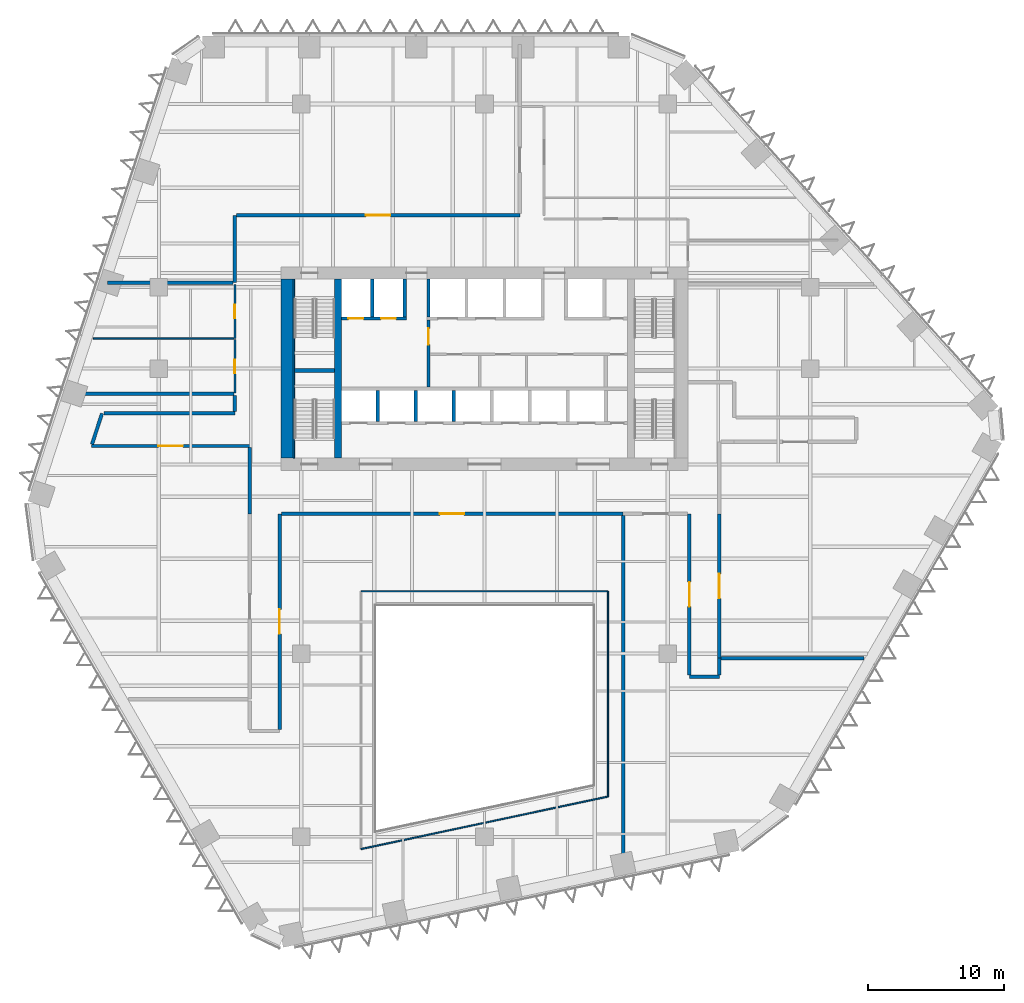
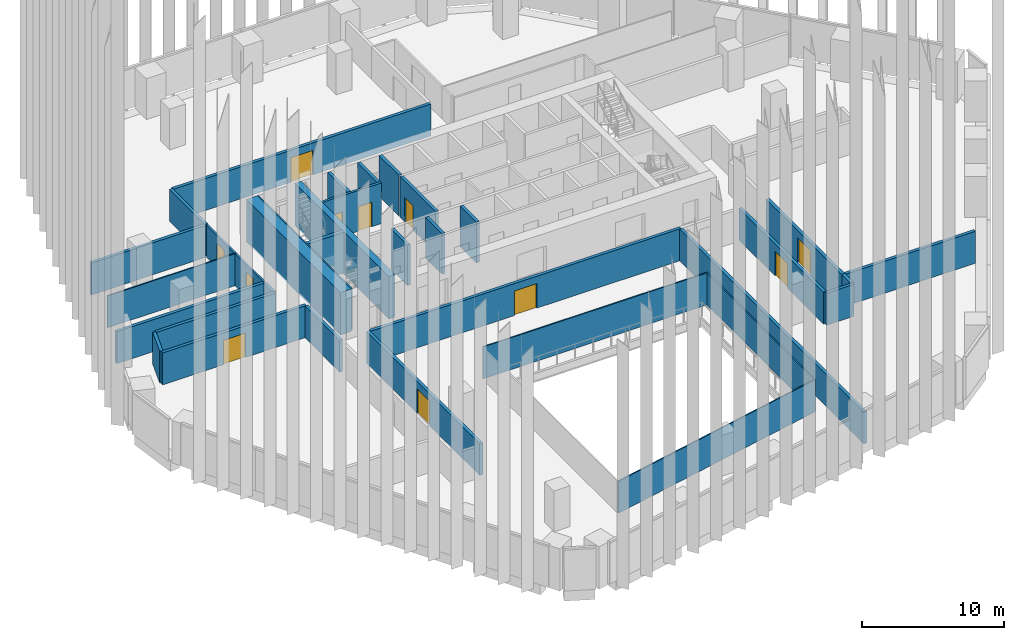
# One storey, part 14 of 24: 35 walls, 11 doors, 11 openings.
"""IFC4 building model written with IfcOpenShell, lengths in metres."""

from ifc_helpers import new_model, si_unit, direction, frame, frame_2d, origin, place, context, subcontext, project, spatial, rectangle, extrude, material, layer, layer_set, type_object, element, fill, save


model = new_model("IFC4")

# Units and contexts
model_context = context("Model", 3, precision=1e-05, world=origin(), true_north=direction((0.0, 1.0)))
body_context = subcontext(model_context, "Body", "Model", "MODEL_VIEW")
ifc_project = project(units=[si_unit("LENGTHUNIT", "METRE"), si_unit("AREAUNIT", "SQUARE_METRE"), si_unit("VOLUMEUNIT", "CUBIC_METRE"), si_unit("PLANEANGLEUNIT", "RADIAN"), si_unit("MASSUNIT", "GRAM", prefix="KILO")], contexts=[model_context])

# Site, building, storey
site_placement = place(None, origin())
site = spatial("IfcSite", under=ifc_project, at=site_placement, CompositionType="ELEMENT")
building_placement = place(site_placement, origin())
building = spatial("IfcBuilding", under=site, at=building_placement, Name="Isthmus Gate Tower", CompositionType="ELEMENT")
storey_placement = place(building_placement, frame((0.0, 0.0, 80.64990234375)))
storey = spatial("IfcBuildingStorey", under=building, at=storey_placement, Name="L18", CompositionType="ELEMENT", Elevation=80.64990234375)

# Wall, opening, door
ifc_material_1 = material(Name="Double-leaf acoustic stud wall, fire-rated", Category="gypsum")
ifc_layer_1 = layer(ifc_material_1, 0.25)
ifc_layer_set_1 = layer_set([ifc_layer_1], Name="ACOUSTIC WALL 250 60 MIN")
wall_type_1 = type_object("IfcWallType", Name="ACOUSTIC WALL 250 60 MIN", PredefinedType="PARTITIONING", material=ifc_layer_set_1)
wall_1_placement = place(storey_placement, frame((10.212890625, -3.199951171875, 0.0), z_axis=(0.0, 0.0, 1.0), x_axis=(-1.0, 0.0, 0.0)))
wall_1 = element("IfcWall", 1, at=wall_1_placement, inside=storey, type_object=wall_type_1, Name="L18 Acoustic Wall 250 60 Min", PredefinedType="PARTITIONING", context=body_context, shape_type="SweptSolid", body=[
    extrude(rectangle(XDim=25.18798828125, YDim=0.25, at=frame_2d((12.593994140625, 0.0))), origin(), (0.0, 0.0, 1.0), 2.7412109375),
])
opening_1_placement = place(wall_1_placement, frame((11.70654296875, 0.0, 0.0)))
opening_1 = element("IfcOpeningElement", 2, at=opening_1_placement, cuts=wall_1, Name="Opening DT-T2A-12", PredefinedType="OPENING", context=body_context, shape_type="SweptSolid", body=[
    extrude(rectangle(XDim=1.800048828125, YDim=2.10009765625, at=frame_2d((0.89990234375, 1.050048828125))), frame((0.0, 0.135009765625, 0.0), z_axis=(0.0, -1.0, 0.0), x_axis=(1.0, 0.0, 0.0)), (0.0, 0.0, 1.0), 0.27001953125),
])
ifc_material_2 = material(Name="Solid core timber door leaf, fire-rated", Category="wood")
door_type_1 = type_object("IfcDoorType", Name="FIRE DOOR ACOUSTIC ROOM 1800 X 2100 60 MIN", OperationType="DOUBLE_DOOR_DOUBLE_SWING", PredefinedType="DOOR", material=ifc_material_2)
door_1_placement = place(opening_1_placement, origin())
door_1 = element("IfcDoor", 3, at=door_1_placement, inside=storey, type_object=door_type_1, Name="L18 room door", OperationType="DOUBLE_DOOR_DOUBLE_SWING", OverallHeight=2.10009765625, OverallWidth=1.800048828125, PredefinedType="DOOR", context=body_context, shape_type="SweptSolid", body=[
    extrude(rectangle(XDim=1.800048828125, YDim=2.10009765625, at=frame_2d((0.89990234375, 1.050048828125))), frame((0.0, 0.02490234375, 0.0), z_axis=(0.0, -1.0, 0.0), x_axis=(1.0, 0.0, 0.0)), (0.0, 0.0, 1.0), 0.050048828125),
])
fill(opening_1, door_1)

wall_2_placement = place(storey_placement, frame((-17.298095703125, 1.802001953125, 0.0), z_axis=(0.0, 0.0, 1.0), x_axis=(-0.99999998598, -0.000167451594, 0.0)))
wall_2 = element("IfcWall", 4, at=wall_2_placement, inside=storey, type_object=wall_type_1, Name="L18 Acoustic Wall 250 60 Min", PredefinedType="PARTITIONING", context=body_context, shape_type="SweptSolid", body=[
    extrude(rectangle(XDim=11.663818359375, YDim=0.25, at=frame_2d((5.83203125, 0.0))), origin(), (0.0, 0.0, 1.0), 2.7412109375),
])
opening_2_placement = place(wall_2_placement, frame((4.931884765625, 0.0, 0.0)))
opening_2 = element("IfcOpeningElement", 5, at=opening_2_placement, cuts=wall_2, Name="Opening DT-T2A-11", PredefinedType="OPENING", context=body_context, shape_type="SweptSolid", body=[
    extrude(rectangle(XDim=1.800048828125, YDim=2.10009765625, at=frame_2d((0.89990234375, 1.050048828125))), frame((0.0, 0.135009765625, 0.0), z_axis=(0.0, -1.0, 0.0), x_axis=(1.0, 0.0, 0.0)), (0.0, 0.0, 1.0), 0.27001953125),
])
door_2_placement = place(opening_2_placement, origin())
door_2 = element("IfcDoor", 6, at=door_2_placement, inside=storey, type_object=door_type_1, Name="L18 room door", OperationType="DOUBLE_DOOR_DOUBLE_SWING", OverallHeight=2.10009765625, OverallWidth=1.800048828125, PredefinedType="DOOR", context=body_context, shape_type="SweptSolid", body=[
    extrude(rectangle(XDim=1.800048828125, YDim=2.10009765625, at=frame_2d((0.89990234375, 1.050048828125))), frame((0.0, 0.02490234375, 0.0), z_axis=(0.0, -1.0, 0.0), x_axis=(1.0, 0.0, 0.0)), (0.0, 0.0, 1.0), 0.050048828125),
])
fill(opening_2, door_2)

wall_3_placement = place(storey_placement, frame((-15.10009765625, -3.199951171875, 0.0), z_axis=(0.0, 0.0, 1.0), x_axis=(0.0, -1.0, 0.0)))
wall_3 = element("IfcWall", 7, at=wall_3_placement, inside=storey, type_object=wall_type_1, Name="L18 Acoustic Wall 250 60 Min", PredefinedType="PARTITIONING", context=body_context, shape_type="SweptSolid", body=[
    extrude(rectangle(XDim=15.875, YDim=0.25, at=frame_2d((7.9375, 0.0))), origin(), (0.0, 0.0, 1.0), 2.7412109375),
])
opening_3_placement = place(wall_3_placement, frame((7.03759765625, 0.0, 0.0)))
opening_3 = element("IfcOpeningElement", 8, at=opening_3_placement, cuts=wall_3, Name="Opening DT-T2A-13", PredefinedType="OPENING", context=body_context, shape_type="SweptSolid", body=[
    extrude(rectangle(XDim=1.800048828125, YDim=2.10009765625, at=frame_2d((0.89990234375, 1.050048828125))), frame((0.0, 0.135009765625, 0.0), z_axis=(0.0, -1.0, 0.0), x_axis=(1.0, 0.0, 0.0)), (0.0, 0.0, 1.0), 0.27001953125),
])
door_3_placement = place(opening_3_placement, origin())
door_3 = element("IfcDoor", 9, at=door_3_placement, inside=storey, type_object=door_type_1, Name="L18 room door", OperationType="DOUBLE_DOOR_DOUBLE_SWING", OverallHeight=2.10009765625, OverallWidth=1.800048828125, PredefinedType="DOOR", context=body_context, shape_type="SweptSolid", body=[
    extrude(rectangle(XDim=1.800048828125, YDim=2.10009765625, at=frame_2d((0.89990234375, 1.050048828125))), frame((0.0, 0.02490234375, 0.0), z_axis=(0.0, -1.0, 0.0), x_axis=(1.0, 0.0, 0.0)), (0.0, 0.0, 1.0), 0.050048828125),
])
fill(opening_3, door_3)

wall_4_placement = place(storey_placement, frame((17.300048828125, -3.201904296875, 0.0), z_axis=(0.0, 0.0, 1.0), x_axis=(0.0, -1.0, 0.0)))
wall_4 = element("IfcWall", 10, at=wall_4_placement, inside=storey, type_object=wall_type_1, Name="L18 Acoustic Wall 250 60 Min", PredefinedType="PARTITIONING", context=body_context, shape_type="SweptSolid", body=[
    extrude(rectangle(XDim=10.63720703125, YDim=0.25, at=frame_2d((5.318603515625, 0.0))), origin(), (0.0, 0.0, 1.0), 2.7412109375),
])
opening_4_placement = place(wall_4_placement, frame((4.41845703125, 0.0, 0.0)))
opening_4 = element("IfcOpeningElement", 11, at=opening_4_placement, cuts=wall_4, Name="Opening DT-T2A-08", PredefinedType="OPENING", context=body_context, shape_type="SweptSolid", body=[
    extrude(rectangle(XDim=1.800048828125, YDim=2.10009765625, at=frame_2d((0.89990234375, 1.050048828125))), frame((0.0, 0.135009765625, 0.0), z_axis=(0.0, -1.0, 0.0), x_axis=(1.0, 0.0, 0.0)), (0.0, 0.0, 1.0), 0.27001953125),
])
door_4_placement = place(opening_4_placement, origin())
door_4 = element("IfcDoor", 12, at=door_4_placement, inside=storey, type_object=door_type_1, Name="L18 room door", OperationType="DOUBLE_DOOR_DOUBLE_SWING", OverallHeight=2.10009765625, OverallWidth=1.800048828125, PredefinedType="DOOR", context=body_context, shape_type="SweptSolid", body=[
    extrude(rectangle(XDim=1.800048828125, YDim=2.10009765625, at=frame_2d((0.89990234375, 1.050048828125))), frame((0.0, 0.02490234375, 0.0), z_axis=(0.0, -1.0, 0.0), x_axis=(1.0, 0.0, 0.0)), (0.0, 0.0, 1.0), 0.050048828125),
])
fill(opening_4, door_4)

# Walls
wall_5_placement = place(storey_placement, frame((17.300048828125, -15.199951171875, 0.0), z_axis=(0.0, 0.0, 1.0), x_axis=(-1.0, 0.0, 0.0)))
element("IfcWall", 13, at=wall_5_placement, inside=storey, type_object=wall_type_1, Name="L18 Acoustic Wall 250 60 Min", PredefinedType="PARTITIONING", context=body_context, shape_type="SweptSolid", body=[
    extrude(rectangle(XDim=2.199951171875, YDim=0.25, at=frame_2d((1.10009765625, 0.0))), origin(), (0.0, 0.0, 1.0), 2.7412109375),
])
wall_6_placement = place(storey_placement, frame((17.300048828125, -13.839111328125, 0.0), z_axis=(0.0, 0.0, 1.0), x_axis=(0.0, -1.0, 0.0)))
element("IfcWall", 14, at=wall_6_placement, inside=storey, type_object=wall_type_1, Name="L18 Acoustic Wall 250 60 Min", PredefinedType="PARTITIONING", context=body_context, shape_type="SweptSolid", body=[
    extrude(rectangle(XDim=1.23583984375, YDim=0.25, at=frame_2d((0.617919921875, 0.0))), origin(), (0.0, 0.0, 1.0), 2.7412109375),
])
wall_7_placement = place(storey_placement, frame((-18.39990234375, 13.830078125, 0.0), z_axis=(0.0, 0.0, 1.0), x_axis=(0.0, 1.0, 0.0)))
element("IfcWall", 15, at=wall_7_placement, inside=storey, type_object=wall_type_1, Name="L18 Acoustic Wall 250 60 Min", PredefinedType="PARTITIONING", context=body_context, shape_type="SweptSolid", body=[
    extrude(rectangle(XDim=4.969970703125, YDim=0.25, at=frame_2d((2.48486328125, 0.0))), origin(), (0.0, 0.0, 1.0), 2.7412109375),
])

# Wall, opening, door
wall_8_placement = place(storey_placement, frame((-18.27490234375, 18.800048828125, 0.0), z_axis=(0.0, 0.0, 1.0), x_axis=(1.0, 0.0, 0.0)))
wall_8 = element("IfcWall", 16, at=wall_8_placement, inside=storey, type_object=wall_type_1, Name="L18 Acoustic Wall 250 60 Min", PredefinedType="PARTITIONING", context=body_context, shape_type="SweptSolid", body=[
    extrude(rectangle(XDim=20.875, YDim=0.25, at=frame_2d((10.4375, 0.0))), origin(), (0.0, 0.0, 1.0), 2.7412109375),
])
opening_5_placement = place(wall_8_placement, frame((9.53759765625, 0.0, 0.0)))
opening_5 = element("IfcOpeningElement", 17, at=opening_5_placement, cuts=wall_8, Name="Opening DT-T2A-01", PredefinedType="OPENING", context=body_context, shape_type="SweptSolid", body=[
    extrude(rectangle(XDim=1.800048828125, YDim=2.10009765625, at=frame_2d((0.89990234375, 1.050048828125))), frame((0.0, 0.135009765625, 0.0), z_axis=(0.0, -1.0, 0.0), x_axis=(1.0, 0.0, 0.0)), (0.0, 0.0, 1.0), 0.27001953125),
])
door_5_placement = place(opening_5_placement, origin())
door_5 = element("IfcDoor", 18, at=door_5_placement, inside=storey, type_object=door_type_1, Name="L18 room door", OperationType="DOUBLE_DOOR_DOUBLE_SWING", OverallHeight=2.10009765625, OverallWidth=1.800048828125, PredefinedType="DOOR", context=body_context, shape_type="SweptSolid", body=[
    extrude(rectangle(XDim=1.800048828125, YDim=2.10009765625, at=frame_2d((0.89990234375, 1.050048828125))), frame((0.0, 0.02490234375, 0.0), z_axis=(0.0, -1.0, 0.0), x_axis=(1.0, 0.0, 0.0)), (0.0, 0.0, 1.0), 0.050048828125),
])
fill(opening_5, door_5)

# Walls
wall_9_placement = place(storey_placement, frame((-27.787109375, 13.830078125, 0.0), z_axis=(0.0, 0.0, 1.0), x_axis=(1.0, 0.0, 0.0)))
element("IfcWall", 19, at=wall_9_placement, inside=storey, type_object=wall_type_1, Name="L18 Acoustic Wall 250 60 Min", PredefinedType="PARTITIONING", context=body_context, shape_type="SweptSolid", body=[
    extrude(rectangle(XDim=9.26220703125, YDim=0.25, at=frame_2d((4.631103515625, 0.0))), origin(), (0.0, 0.0, 1.0), 2.7412109375),
])
wall_10_placement = place(storey_placement, frame((-30.44091796875, 5.660888671875, 0.0), z_axis=(0.0, 0.0, 1.0), x_axis=(1.0, 0.0, 0.0)))
element("IfcWall", 20, at=wall_10_placement, inside=storey, type_object=wall_type_1, Name="L18 Acoustic Wall 250 60 Min", PredefinedType="PARTITIONING", context=body_context, shape_type="SweptSolid", body=[
    extrude(rectangle(XDim=11.9658203125, YDim=0.25, at=frame_2d((5.98291015625, 0.0))), origin(), (0.0, 0.0, 1.0), 2.7412109375),
])
wall_11_placement = place(storey_placement, frame((17.425048828125, -13.839111328125, 0.0), z_axis=(0.0, 0.0, 1.0), x_axis=(1.0, 0.0, 0.0)))
element("IfcWall", 21, at=wall_11_placement, inside=storey, type_object=wall_type_1, Name="L18 Acoustic Wall 250 60 Min", PredefinedType="PARTITIONING", context=body_context, shape_type="SweptSolid", body=[
    extrude(rectangle(XDim=10.5419921875, YDim=0.25, at=frame_2d((5.27099609375, 0.0))), origin(), (0.0, 0.0, 1.0), 2.7412109375),
])
wall_12_placement = place(storey_placement, frame((-28.92138671875, 1.925048828125, 0.0), z_axis=(0.0, 0.0, 1.0), x_axis=(0.309146074309, 0.951014565998, 0.0)))
element("IfcWall", 22, at=wall_12_placement, inside=storey, type_object=wall_type_1, Name="L18 Acoustic Wall 250 60 Min", PredefinedType="PARTITIONING", context=body_context, shape_type="SweptSolid", body=[
    extrude(rectangle(XDim=2.39208984375, YDim=0.25, at=frame_2d((1.196044921875, 0.0))), origin(), (0.0, 0.0, 1.0), 2.7412109375),
])
wall_13_placement = place(storey_placement, frame((-28.056884765625, 4.199951171875, 0.0), z_axis=(0.0, 0.0, 1.0), x_axis=(1.0, 0.0, 0.0)))
element("IfcWall", 23, at=wall_13_placement, inside=storey, type_object=wall_type_1, Name="L18 Acoustic Wall 250 60 Min", PredefinedType="PARTITIONING", context=body_context, shape_type="SweptSolid", body=[
    extrude(rectangle(XDim=9.656982421875, YDim=0.25, at=frame_2d((4.82861328125, 0.0))), origin(), (0.0, 0.0, 1.0), 2.7412109375),
])
wall_14_placement = place(storey_placement, frame((-18.39990234375, 4.324951171875, 0.0), z_axis=(0.0, 0.0, 1.0), x_axis=(0.0, 1.0, 0.0)))
element("IfcWall", 24, at=wall_14_placement, inside=storey, type_object=wall_type_1, Name="L18 Acoustic Wall 250 60 Min", PredefinedType="PARTITIONING", context=body_context, shape_type="SweptSolid", body=[
    extrude(rectangle(XDim=1.2109375, YDim=0.25, at=frame_2d((0.60546875, 0.0))), origin(), (0.0, 0.0, 1.0), 2.7412109375),
])
wall_15_placement = place(storey_placement, frame((-17.298095703125, -3.201904296875, 0.0), z_axis=(0.0, 0.0, 1.0), x_axis=(0.0, 1.0, 0.0)))
element("IfcWall", 25, at=wall_15_placement, inside=storey, type_object=wall_type_1, Name="L18 Acoustic Wall 250 60 Min", PredefinedType="PARTITIONING", context=body_context, shape_type="SweptSolid", body=[
    extrude(rectangle(XDim=4.87890625, YDim=0.25, at=frame_2d((2.439453125, 0.0))), origin(), (0.0, 0.0, 1.0), 2.7412109375),
])
wall_16_placement = place(storey_placement, frame((10.212890625, -29.216064453125, 0.0), z_axis=(0.0, 0.0, 1.0), x_axis=(0.0, 1.0, 0.0)))
element("IfcWall", 26, at=wall_16_placement, inside=storey, type_object=wall_type_1, Name="L18 Acoustic Wall 250 60 Min", PredefinedType="PARTITIONING", context=body_context, shape_type="SweptSolid", body=[
    extrude(rectangle(XDim=25.89111328125, YDim=0.25, at=frame_2d((12.945556640625, 0.0))), origin(), (0.0, 0.0, 1.0), 2.7412109375),
])

# Wall, opening, door
wall_17_placement = place(storey_placement, frame((15.10009765625, -15.074951171875, 0.0), z_axis=(0.0, 0.0, 1.0), x_axis=(0.0, 1.0, 0.0)))
wall_17 = element("IfcWall", 27, at=wall_17_placement, inside=storey, type_object=wall_type_1, Name="L18 Acoustic Wall 250 60 Min", PredefinedType="PARTITIONING", context=body_context, shape_type="SweptSolid", body=[
    extrude(rectangle(XDim=11.875, YDim=0.25, at=frame_2d((5.9375, 0.0))), origin(), (0.0, 0.0, 1.0), 2.7412109375),
])
opening_6_placement = place(wall_17_placement, frame((5.03759765625, 0.0, 0.0)))
opening_6 = element("IfcOpeningElement", 28, at=opening_6_placement, cuts=wall_17, Name="Opening DT-T2A-14", PredefinedType="OPENING", context=body_context, shape_type="SweptSolid", body=[
    extrude(rectangle(XDim=1.800048828125, YDim=2.10009765625, at=frame_2d((0.89990234375, 1.050048828125))), frame((0.0, 0.135009765625, 0.0), z_axis=(0.0, -1.0, 0.0), x_axis=(1.0, 0.0, 0.0)), (0.0, 0.0, 1.0), 0.27001953125),
])
door_6_placement = place(opening_6_placement, origin())
door_6 = element("IfcDoor", 29, at=door_6_placement, inside=storey, type_object=door_type_1, Name="L18 room door", OperationType="DOUBLE_DOOR_DOUBLE_SWING", OverallHeight=2.10009765625, OverallWidth=1.800048828125, PredefinedType="DOOR", context=body_context, shape_type="SweptSolid", body=[
    extrude(rectangle(XDim=1.800048828125, YDim=2.10009765625, at=frame_2d((0.89990234375, 1.050048828125))), frame((0.0, 0.02490234375, 0.0), z_axis=(0.0, -1.0, 0.0), x_axis=(1.0, 0.0, 0.0)), (0.0, 0.0, 1.0), 0.050048828125),
])
fill(opening_6, door_6)

# Walls
ifc_material_3 = material(Name="Fire-rated laminated glass in steel frame", Category="steel")
ifc_layer_2 = layer(ifc_material_3, 0.10009765625)
ifc_layer_set_2 = layer_set([ifc_layer_2], Name="ATRIUM SCREEN GLAZED WALL 100 120 MIN")
wall_type_2 = type_object("IfcWallType", Name="ATRIUM SCREEN GLAZED WALL 100 120 MIN", PredefinedType="PARTITIONING", material=ifc_layer_set_2)
wall_18_placement = place(storey_placement, frame((-9.10009765625, -8.89990234375, 0.0), z_axis=(0.0, 0.0, 1.0), x_axis=(1.0, 0.0, 0.0)))
element("IfcWall", 30, at=wall_18_placement, inside=storey, type_object=wall_type_2, Name="L18 atrium screen", PredefinedType="PARTITIONING", context=body_context, shape_type="SweptSolid", body=[
    extrude(rectangle(XDim=18.2001953125, YDim=0.10009765625, at=frame_2d((9.10009765625, 0.0))), origin(), (0.0, 0.0, 1.0), 2.7412109375),
])
wall_19_placement = place(storey_placement, frame((9.10009765625, -8.89990234375, 0.0), z_axis=(0.0, 0.0, 1.0), x_axis=(0.0, -1.0, 0.0)))
element("IfcWall", 31, at=wall_19_placement, inside=storey, type_object=wall_type_2, Name="L18 atrium screen", PredefinedType="PARTITIONING", context=body_context, shape_type="SweptSolid", body=[
    extrude(rectangle(XDim=15.134033203125, YDim=0.10009765625, at=frame_2d((7.56689453125, 0.0))), origin(), (0.0, 0.0, 1.0), 2.7412109375),
])
wall_20_placement = place(storey_placement, frame((9.10009765625, -24.033935546875, 0.0), z_axis=(0.0, 0.0, 1.0), x_axis=(-0.978146710971, -0.207915876778, 0.0)))
element("IfcWall", 32, at=wall_20_placement, inside=storey, type_object=wall_type_2, Name="L18 atrium screen", PredefinedType="PARTITIONING", context=body_context, shape_type="SweptSolid", body=[
    extrude(rectangle(XDim=18.60693359375, YDim=0.10009765625, at=frame_2d((9.303466796875, 0.0))), origin(), (0.0, 0.0, 1.0), 2.7412109375),
])

# Wall, opening, door
ifc_material_4 = material(Name="Gypsum board on steel studs, fire-rated", Category="steel")
ifc_layer_3 = layer(ifc_material_4, 0.14990234375)
ifc_layer_set_3 = layer_set([ifc_layer_3], Name="CORRIDOR WALL 150 60 MIN")
wall_type_3 = type_object("IfcWallType", Name="CORRIDOR WALL 150 60 MIN", PredefinedType="PARTITIONING", material=ifc_layer_set_3)
wall_21_placement = place(storey_placement, frame((-18.39990234375, 9.714111328125, 0.0), z_axis=(0.0, 0.0, 1.0), x_axis=(0.0, 1.0, 0.0)))
wall_21 = element("IfcWall", 33, at=wall_21_placement, inside=storey, type_object=wall_type_3, Name="L18 Corridor Wall 150 60 Min", PredefinedType="PARTITIONING", context=body_context, shape_type="SweptSolid", body=[
    extrude(rectangle(XDim=3.990966796875, YDim=0.14990234375, at=frame_2d((1.99560546875, 0.0))), origin(), (0.0, 0.0, 1.0), 2.7412109375),
])
opening_7_placement = place(wall_21_placement, frame((1.49560546875, 0.0, 0.0)))
opening_7 = element("IfcOpeningElement", 34, at=opening_7_placement, cuts=wall_21, Name="Opening DT-T2A-06", PredefinedType="OPENING", context=body_context, shape_type="SweptSolid", body=[
    extrude(rectangle(XDim=1.0, YDim=2.10009765625, at=frame_2d((0.5, 1.050048828125))), frame((0.0, 0.0849609375, 0.0), z_axis=(0.0, -1.0, 0.0), x_axis=(1.0, 0.0, 0.0)), (0.0, 0.0, 1.0), 0.169921875),
])
ifc_material_5 = material(Name="Solid core timber door leaf, fire-rated", Category="wood")
door_type_2 = type_object("IfcDoorType", Name="FIRE DOOR ROOM 1000 X 2100 60 MIN", OperationType="SINGLE_SWING_LEFT", PredefinedType="DOOR", material=ifc_material_5)
door_7_placement = place(opening_7_placement, origin())
door_7 = element("IfcDoor", 35, at=door_7_placement, inside=storey, type_object=door_type_2, Name="L18 room door", OperationType="SINGLE_SWING_RIGHT", OverallHeight=2.10009765625, OverallWidth=1.0, PredefinedType="DOOR", context=body_context, shape_type="SweptSolid", body=[
    extrude(rectangle(XDim=1.0, YDim=2.10009765625, at=frame_2d((0.5, 1.050048828125))), frame((0.0, 0.02490234375, 0.0), z_axis=(0.0, -1.0, 0.0), x_axis=(1.0, 0.0, 0.0)), (0.0, 0.0, 1.0), 0.050048828125),
])
fill(opening_7, door_7)

wall_22_placement = place(storey_placement, frame((-18.39990234375, 5.7109375, 0.0), z_axis=(0.0, 0.0, 1.0), x_axis=(0.0, 1.0, 0.0)))
wall_22 = element("IfcWall", 36, at=wall_22_placement, inside=storey, type_object=wall_type_3, Name="L18 Corridor Wall 150 60 Min", PredefinedType="PARTITIONING", context=body_context, shape_type="SweptSolid", body=[
    extrude(rectangle(XDim=3.953125, YDim=0.14990234375, at=frame_2d((1.9765625, 0.0))), origin(), (0.0, 0.0, 1.0), 2.7412109375),
])
opening_8_placement = place(wall_22_placement, frame((1.451416015625, 0.0, 0.0)))
opening_8 = element("IfcOpeningElement", 37, at=opening_8_placement, cuts=wall_22, Name="Opening DT-T2A-07", PredefinedType="OPENING", context=body_context, shape_type="SweptSolid", body=[
    extrude(rectangle(XDim=1.0, YDim=2.10009765625, at=frame_2d((0.5, 1.050048828125))), frame((0.0, 0.0849609375, 0.0), z_axis=(0.0, -1.0, 0.0), x_axis=(1.0, 0.0, 0.0)), (0.0, 0.0, 1.0), 0.169921875),
])
door_8_placement = place(opening_8_placement, origin())
door_8 = element("IfcDoor", 38, at=door_8_placement, inside=storey, type_object=door_type_2, Name="L18 room door", OperationType="SINGLE_SWING_RIGHT", OverallHeight=2.10009765625, OverallWidth=1.0, PredefinedType="DOOR", context=body_context, shape_type="SweptSolid", body=[
    extrude(rectangle(XDim=1.0, YDim=2.10009765625, at=frame_2d((0.5, 1.050048828125))), frame((0.0, 0.02490234375, 0.0), z_axis=(0.0, -1.0, 0.0), x_axis=(1.0, 0.0, 0.0)), (0.0, 0.0, 1.0), 0.050048828125),
])
fill(opening_8, door_8)

ifc_material_6 = material(Name="Fire-rated blockwork masonry, 15 MPa", Category="masonry")
ifc_layer_4 = layer(ifc_material_6, 0.25)
ifc_layer_set_4 = layer_set([ifc_layer_4], Name="FIRE-FIGHTING LOBBY WALL 250 90 MIN")
wall_type_4 = type_object("IfcWallType", Name="FIRE-FIGHTING LOBBY WALL 250 90 MIN", PredefinedType="PARTITIONING", material=ifc_layer_set_4)
wall_23_placement = place(storey_placement, frame((-4.125, 6.14990234375, 0.0), z_axis=(0.0, 0.0, 1.0), x_axis=(0.0, 1.0, 0.0)))
wall_23 = element("IfcWall", 39, at=wall_23_placement, inside=storey, type_object=wall_type_4, Name="L18 FIRE-FIGHTING LOBBY WALL 250 90 MIN", PredefinedType="PARTITIONING", context=body_context, shape_type="SweptSolid", body=[
    extrude(rectangle(XDim=4.9501953125, YDim=0.25, at=frame_2d((2.47509765625, 0.0))), origin(), (0.0, 0.0, 1.0), 3.5),
])
opening_9_placement = place(wall_23_placement, frame((3.125, 0.0, 0.0)))
opening_9 = element("IfcOpeningElement", 40, at=opening_9_placement, cuts=wall_23, Name="Opening DC-A03-01", PredefinedType="OPENING", context=body_context, shape_type="SweptSolid", body=[
    extrude(rectangle(XDim=1.199951171875, YDim=2.10009765625, at=frame_2d((0.60009765625, 1.050048828125))), frame((0.0, 0.135009765625, 0.0), z_axis=(0.0, -1.0, 0.0), x_axis=(1.0, 0.0, 0.0)), (0.0, 0.0, 1.0), 0.27001953125),
])
ifc_material_7 = material(Name="Steel door leaf, fire-rated", Category="steel")
door_type_3 = type_object("IfcDoorType", Name="LOBBY FIRE DOOR 1200 X 2100 90 MIN", OperationType="DOUBLE_DOOR_SINGLE_SWING", PredefinedType="DOOR", material=ifc_material_7)
door_9_placement = place(opening_9_placement, origin())
door_9 = element("IfcDoor", 41, at=door_9_placement, inside=storey, type_object=door_type_3, Name="Fire-fighting Lobby Door", OperationType="SINGLE_SWING_LEFT", OverallHeight=2.10009765625, OverallWidth=1.199951171875, PredefinedType="DOOR", context=body_context, shape_type="SweptSolid", body=[
    extrude(rectangle(XDim=1.199951171875, YDim=2.10009765625, at=frame_2d((0.60009765625, 1.050048828125))), frame((0.0, 0.02490234375, 0.0), z_axis=(0.0, -1.0, 0.0), x_axis=(1.0, 0.0, 0.0)), (0.0, 0.0, 1.0), 0.050048828125),
])
fill(opening_9, door_9)

# Walls
ifc_material_8 = material(Name="Concrete f'c 70 MPa", Category="concrete")
ifc_layer_5 = layer(ifc_material_8, 0.5)
ifc_layer_set_5 = layer_set([ifc_layer_5], Name="RC CORE SPINE WALL 500 F'C 70")
wall_type_5 = type_object("IfcWallType", Name="RC CORE SPINE WALL 500 F'C 70", PredefinedType="SOLIDWALL", material=ifc_layer_set_5)
wall_24_placement = place(storey_placement, frame((-10.800048828125, 0.89990234375, -0.14990234375), z_axis=(0.0, 0.0, 1.0), x_axis=(0.0, 1.0, 0.0)))
element("IfcWall", 42, at=wall_24_placement, inside=storey, type_object=wall_type_5, Name="str-corewall-L18-SPW", PredefinedType="SOLIDWALL", context=body_context, shape_type="SweptSolid", body=[
    extrude(rectangle(XDim=13.2001953125, YDim=0.5, at=frame_2d((6.60009765625, 0.0))), origin(), (0.0, 0.0, 1.0), 3.64990234375),
])
ifc_material_9 = material(Name="Concrete f'c 70 MPa", Category="concrete")
ifc_layer_6 = layer(ifc_material_9, 0.89990234375)
ifc_layer_set_6 = layer_set([ifc_layer_6], Name="RC CORE WALL 900 F'C 70")
wall_type_6 = type_object("IfcWallType", Name="RC CORE WALL 900 F'C 70", PredefinedType="SOLIDWALL", material=ifc_layer_set_6)
wall_25_placement = place(storey_placement, frame((-14.550048828125, 0.89990234375, -0.14990234375), z_axis=(0.0, 0.0, 1.0), x_axis=(0.0, 1.0, 0.0)))
element("IfcWall", 43, at=wall_25_placement, inside=storey, type_object=wall_type_6, Name="str-corewall-L18-W", PredefinedType="SOLIDWALL", context=body_context, shape_type="SweptSolid", body=[
    extrude(rectangle(XDim=13.2001953125, YDim=0.89990234375, at=frame_2d((6.60009765625, 0.0))), origin(), (0.0, 0.0, 1.0), 3.64990234375),
])
ifc_material_10 = material(Name="Gypsum board on steel studs, fire-rated", Category="steel")
ifc_layer_7 = layer(ifc_material_10, 0.10009765625)
ifc_layer_set_7 = layer_set([ifc_layer_7], Name="ROOM PARTITION 100 30 MIN")
wall_type_7 = type_object("IfcWallType", Name="ROOM PARTITION 100 30 MIN", PredefinedType="PARTITIONING", material=ifc_layer_set_7)
wall_26_placement = place(storey_placement, frame((-28.823974609375, 9.714111328125, 0.0), z_axis=(0.0, 0.0, 1.0), x_axis=(1.0, 0.0, 0.0)))
element("IfcWall", 44, at=wall_26_placement, inside=storey, type_object=wall_type_7, Name="L18 Room Partition 100 30 Min", PredefinedType="PARTITIONING", context=body_context, shape_type="SweptSolid", body=[
    extrude(rectangle(XDim=10.348876953125, YDim=0.10009765625, at=frame_2d((5.17431640625, 0.0))), origin(), (0.0, 0.0, 1.0), 2.7412109375),
])

# Wall, openings, doors
ifc_material_11 = material(Name="Fire-rated blockwork masonry, 15 MPa", Category="masonry")
ifc_layer_8 = layer(ifc_material_11, 0.199951171875)
ifc_layer_set_8 = layer_set([ifc_layer_8], Name="SHAFT FRONT WALL 200 120 MIN")
wall_type_8 = type_object("IfcWallType", Name="SHAFT FRONT WALL 200 120 MIN", PredefinedType="PARTITIONING", material=ifc_layer_set_8)
wall_27_placement = place(storey_placement, frame((-10.550048828125, 11.199951171875, 0.0), z_axis=(0.0, 0.0, 1.0), x_axis=(1.0, 0.0, 0.0)))
wall_27 = element("IfcWall", 45, at=wall_27_placement, inside=storey, type_object=wall_type_8, Name="L18 SHAFT FRONT WALL 200 120 MIN", PredefinedType="PARTITIONING", context=body_context, shape_type="SweptSolid", body=[
    extrude(rectangle(XDim=4.800048828125, YDim=0.199951171875, at=frame_2d((2.39990234375, 0.0))), origin(), (0.0, 0.0, 1.0), 3.5),
])
opening_10_placement = place(wall_27_placement, frame((0.52490234375, 0.0, 0.0)))
opening_10 = element("IfcOpeningElement", 46, at=opening_10_placement, cuts=wall_27, Name="Opening LD-LF1", PredefinedType="OPENING", context=body_context, shape_type="SweptSolid", body=[
    extrude(rectangle(XDim=1.10009765625, YDim=2.10009765625, at=frame_2d((0.550048828125, 1.050048828125))), frame((0.0, 0.10986328125, 0.0), z_axis=(0.0, -1.0, 0.0), x_axis=(1.0, 0.0, 0.0)), (0.0, 0.0, 1.0), 0.219970703125),
])
opening_11_placement = place(wall_27_placement, frame((2.925048828125, 0.0, 0.0)))
opening_11 = element("IfcOpeningElement", 47, at=opening_11_placement, cuts=wall_27, Name="Opening LD-LF2", PredefinedType="OPENING", context=body_context, shape_type="SweptSolid", body=[
    extrude(rectangle(XDim=1.10009765625, YDim=2.10009765625, at=frame_2d((0.550048828125, 1.050048828125))), frame((0.0, 0.10986328125, 0.0), z_axis=(0.0, -1.0, 0.0), x_axis=(1.0, 0.0, 0.0)), (0.0, 0.0, 1.0), 0.219970703125),
])
ifc_material_12 = material(Name="Stainless steel sliding leaf", Category="steel")
door_type_4 = type_object("IfcDoorType", Name="LIFT LANDING FIRE DOOR 1100 X 2100 90 MIN", OperationType="DOUBLE_DOOR_SLIDING", PredefinedType="DOOR", material=ifc_material_12)
door_10_placement = place(opening_10_placement, origin())
door_10 = element("IfcDoor", 48, at=door_10_placement, inside=storey, type_object=door_type_4, Name="Lift Landing Door LF1", OperationType="DOUBLE_DOOR_SLIDING", OverallHeight=2.10009765625, OverallWidth=1.10009765625, PredefinedType="DOOR", context=body_context, shape_type="SweptSolid", body=[
    extrude(rectangle(XDim=1.10009765625, YDim=2.10009765625, at=frame_2d((0.550048828125, 1.050048828125))), frame((0.0, 0.02490234375, 0.0), z_axis=(0.0, -1.0, 0.0), x_axis=(1.0, 0.0, 0.0)), (0.0, 0.0, 1.0), 0.050048828125),
])
fill(opening_10, door_10)
door_11_placement = place(opening_11_placement, origin())
door_11 = element("IfcDoor", 49, at=door_11_placement, inside=storey, type_object=door_type_4, Name="Lift Landing Door LF2", OperationType="DOUBLE_DOOR_SLIDING", OverallHeight=2.10009765625, OverallWidth=1.10009765625, PredefinedType="DOOR", context=body_context, shape_type="SweptSolid", body=[
    extrude(rectangle(XDim=1.10009765625, YDim=2.10009765625, at=frame_2d((0.550048828125, 1.050048828125))), frame((0.0, 0.02490234375, 0.0), z_axis=(0.0, -1.0, 0.0), x_axis=(1.0, 0.0, 0.0)), (0.0, 0.0, 1.0), 0.050048828125),
])
fill(opening_11, door_11)

# Walls
ifc_material_13 = material(Name="Fire-rated blockwork masonry, 15 MPa", Category="masonry")
ifc_layer_9 = layer(ifc_material_13, 0.25)
ifc_layer_set_9 = layer_set([ifc_layer_9], Name="SHAFT WALL 250 120 MIN")
wall_type_9 = type_object("IfcWallType", Name="SHAFT WALL 250 120 MIN", PredefinedType="PARTITIONING", material=ifc_layer_set_9)
for number, where, z_axis, x_axis, name in (
    (50, (-7.875, 3.60009765625, 0.0), (0.0, 0.0, 1.0), (0.0, 1.0, 0.0), "L18 SHAFT WALL 250 120 MIN"),
    (51, (-5.074951171875, 3.60009765625, 0.0), (0.0, 0.0, 1.0), (0.0, 1.0, 0.0), "L18 SHAFT WALL 250 120 MIN"),
    (52, (-2.27490234375, 3.60009765625, 0.0), (0.0, 0.0, 1.0), (0.0, 1.0, 0.0), "L18 SHAFT WALL 250 120 MIN"),
):
    element("IfcWall", number, at=place(storey_placement, frame(where, z_axis=z_axis, x_axis=x_axis)), inside=storey, type_object=wall_type_9, Name=name, PredefinedType="PARTITIONING", context=body_context, shape_type="SweptSolid", body=[
        extrude(rectangle(XDim=2.2998046875, YDim=0.25, at=frame_2d((1.14990234375, 0.0))), origin(), (0.0, 0.0, 1.0), 3.5),
    ])
for number, where, z_axis, x_axis, name in (
    (53, (-8.27490234375, 11.300048828125, 0.0), (0.0, 0.0, 1.0), (0.0, 1.0, 0.0), "L18 SHAFT WALL 250 120 MIN"),
    (54, (-5.875, 11.300048828125, 0.0), (0.0, 0.0, 1.0), (0.0, 1.0, 0.0), "L18 SHAFT WALL 250 120 MIN"),
    (55, (-4.125, 11.300048828125, 0.0), (0.0, 0.0, 1.0), (0.0, 1.0, 0.0), "L18 SHAFT WALL 250 120 MIN"),
):
    element("IfcWall", number, at=place(storey_placement, frame(where, z_axis=z_axis, x_axis=x_axis)), inside=storey, type_object=wall_type_9, Name=name, PredefinedType="PARTITIONING", context=body_context, shape_type="SweptSolid", body=[
        extrude(rectangle(XDim=2.800048828125, YDim=0.25, at=frame_2d((1.39990234375, 0.0))), origin(), (0.0, 0.0, 1.0), 3.5),
    ])
ifc_material_14 = material(Name="Concrete f'c 40 MPa", Category="concrete")
ifc_layer_10 = layer(ifc_material_14, 0.10009765625)
ifc_layer_set_10 = layer_set([ifc_layer_10], Name="STAIR ENCLOSURE WALL 100 180 MIN")
wall_type_10 = type_object("IfcWallType", Name="STAIR ENCLOSURE WALL 100 180 MIN", PredefinedType="SOLIDWALL", material=ifc_layer_set_10)
wall_28_placement = place(storey_placement, frame((-14.050048828125, 0.89990234375, 0.0), z_axis=(0.0, 0.0, 1.0), x_axis=(0.0, 1.0, 0.0)))
element("IfcWall", 56, at=wall_28_placement, inside=storey, type_object=wall_type_10, Name="L18 STAIR ENCLOSURE WALL 100 180 MIN", PredefinedType="SOLIDWALL", context=body_context, shape_type="SweptSolid", body=[
    extrude(rectangle(XDim=13.2001953125, YDim=0.10009765625, at=frame_2d((6.60009765625, 0.0))), origin(), (0.0, 0.0, 1.0), 3.5),
])
ifc_material_15 = material(Name="Concrete f'c 40 MPa", Category="concrete")
ifc_layer_11 = layer(ifc_material_15, 0.300048828125)
ifc_layer_set_11 = layer_set([ifc_layer_11], Name="STAIR ENCLOSURE WALL 300 180 MIN")
wall_type_11 = type_object("IfcWallType", Name="STAIR ENCLOSURE WALL 300 180 MIN", PredefinedType="SOLIDWALL", material=ifc_layer_set_11)
wall_29_placement = place(storey_placement, frame((-14.0, 7.35009765625, 0.0), z_axis=(0.0, 0.0, 1.0), x_axis=(1.0, 0.0, 0.0)))
element("IfcWall", 57, at=wall_29_placement, inside=storey, type_object=wall_type_11, Name="L18 STAIR ENCLOSURE WALL 300 180 MIN", PredefinedType="SOLIDWALL", context=body_context, shape_type="SweptSolid", body=[
    extrude(rectangle(XDim=2.949951171875, YDim=0.300048828125, at=frame_2d((1.47509765625, 0.0))), origin(), (0.0, 0.0, 1.0), 3.5),
])

save(model, "model.ifc")
